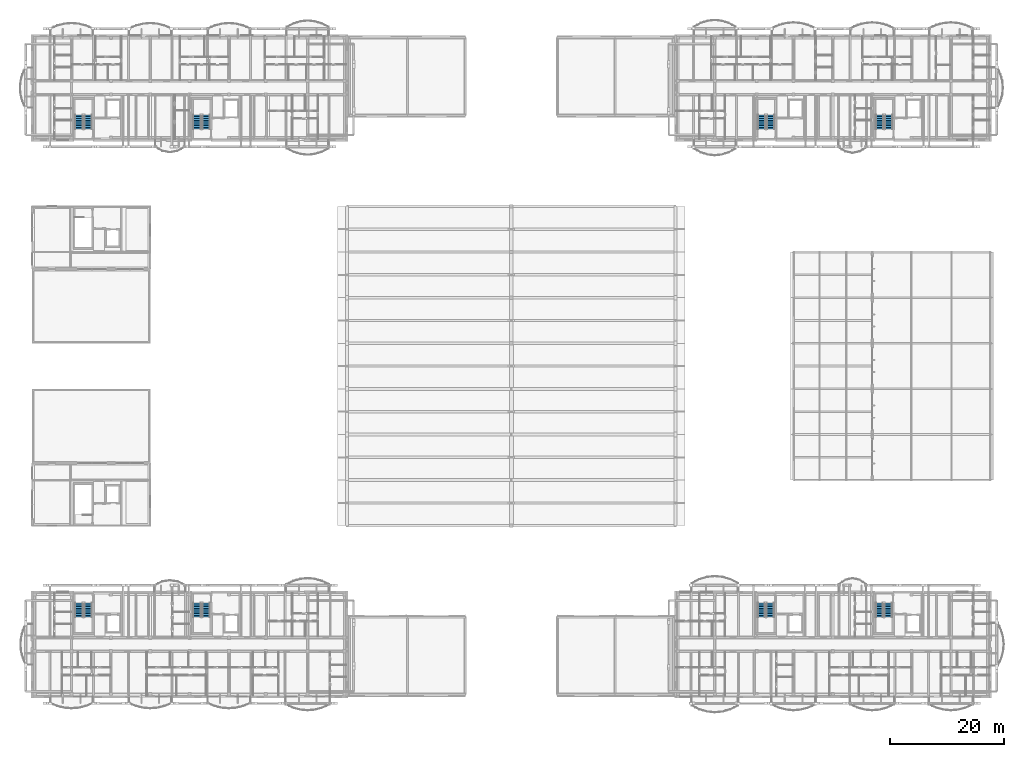
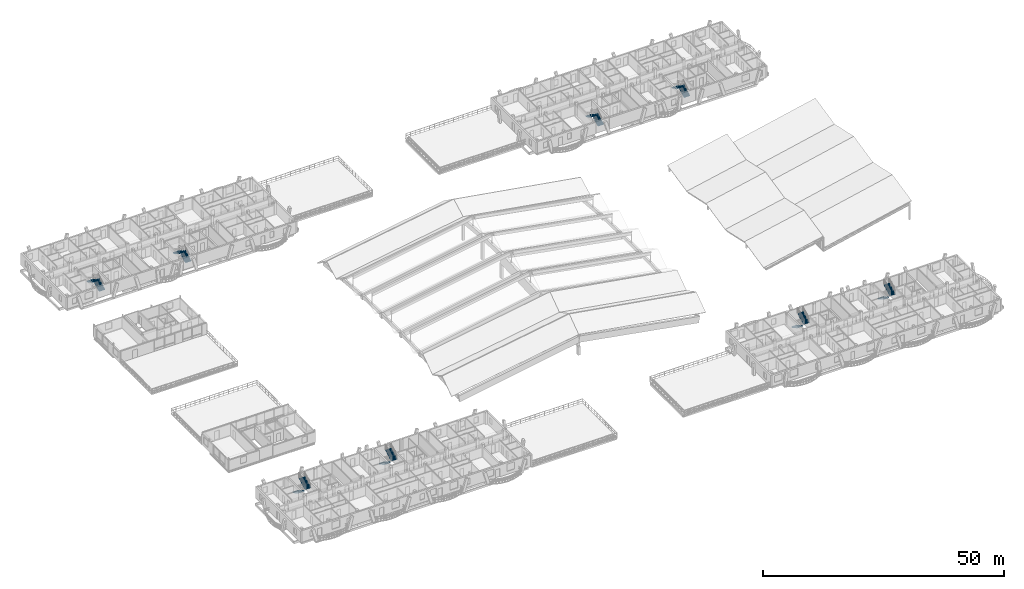
# One storey, part 86 of 109: 16 stair flights, 8 elements without a shape of their own.
"""IFC4 building model written with IfcOpenShell, lengths in metres."""

from ifc_helpers import new_model, si_unit, direction, frame, origin, place, context, subcontext, project, spatial, polyline, outline, extrude, material, type_object, element, aggregate, save


model = new_model("IFC4")

# Units and contexts
model_context = context("Model", 3, precision=1e-05, world=origin(), true_north=direction((0.0, 1.0)))
body_context = subcontext(model_context, "Body", "Model", "MODEL_VIEW")
ifc_project = project(units=[si_unit("LENGTHUNIT", "METRE"), si_unit("AREAUNIT", "SQUARE_METRE"), si_unit("VOLUMEUNIT", "CUBIC_METRE"), si_unit("PLANEANGLEUNIT", "RADIAN"), si_unit("MASSUNIT", "GRAM", prefix="KILO")], contexts=[model_context])

# Site, building, storey
site_placement = place(None, origin())
site = spatial("IfcSite", under=ifc_project, at=site_placement, CompositionType="ELEMENT")
building_placement = place(site_placement, origin())
building = spatial("IfcBuilding", under=site, at=building_placement, Name="Zavelmont Quarter", CompositionType="ELEMENT")
storey_placement = place(building_placement, frame((0.0, 0.0, 8.0)))
storey = spatial("IfcBuildingStorey", under=building, at=storey_placement, Name="L02", CompositionType="ELEMENT", Elevation=8.0)

# Stair, stair flights
ifc_material = material(Name="Concrete C35/45", Category="concrete")
stair_type_1 = type_object("IfcStairType", Name="STR-1350-1778", PredefinedType="HALF_TURN_STAIR", material=ifc_material)
stair_1_placement = place(storey_placement, origin())
stair_1 = element("IfcStair", 1, at=stair_1_placement, inside=storey, type_object=stair_type_1, Name="L02 protected stair ST07", PredefinedType="HALF_TURN_STAIR")
stair_flight_type_1 = type_object("IfcStairFlightType", Name="STF-1350-1778", PredefinedType="STRAIGHT", material=ifc_material)
stair_flight_1_placement = place(storey_placement, frame((127.875, 16.449951171875, 0.0), z_axis=(0.0, 0.0, 1.0), x_axis=(0.0, -1.0, 0.0)))
stair_flight_1 = element("IfcStairFlight", 2, at=stair_flight_1_placement, type_object=stair_flight_type_1, Name="ST07 flight 1", NumberOfRisers=9, NumberOfTreads=8, PredefinedType="STRAIGHT", RiserHeight=0.177777778, TreadLength=0.31, context=body_context, shape_type="SweptSolid", body=[
    extrude(outline(polyline([(0.0, 0.0), (0.0, 0.177734375), (0.31005859375, 0.177734375), (0.31005859375, 0.35546875), (0.6201171875, 0.35546875), (0.6201171875, 0.533447265625), (0.929931640625, 0.533447265625), (0.929931640625, 0.711181640625), (1.239990234375, 0.711181640625), (1.239990234375, 0.888916015625), (1.550048828125, 0.888916015625), (1.550048828125, 1.066650390625), (1.860107421875, 1.066650390625), (1.860107421875, 1.244384765625), (2.169921875, 1.244384765625), (2.169921875, 1.422119140625), (2.47998046875, 1.422119140625), (2.47998046875, 1.60009765625), (2.47998046875, 1.23779296875), (0.321533203125, 0.0), (0.0, 0.0)])), frame((0.0, 0.675048828125, 0.0), z_axis=(0.0, -1.0, 0.0), x_axis=(1.0, 0.0, 0.0)), (0.0, 0.0, 1.0), 1.35009765625),
])
stair_flight_2_placement = place(storey_placement, frame((129.425048828125, 13.969970703125, 1.60009765625), z_axis=(0.0, 0.0, 1.0), x_axis=(0.0, 1.0, 0.0)))
stair_flight_2 = element("IfcStairFlight", 3, at=stair_flight_2_placement, type_object=stair_flight_type_1, Name="ST07 flight 2", NumberOfRisers=9, NumberOfTreads=8, PredefinedType="STRAIGHT", RiserHeight=0.177777778, TreadLength=0.31, context=body_context, shape_type="SweptSolid", body=[
    extrude(outline(polyline([(0.0, 0.0), (0.0, 0.177734375), (0.31005859375, 0.177734375), (0.31005859375, 0.35546875), (0.6201171875, 0.35546875), (0.6201171875, 0.533447265625), (0.929931640625, 0.533447265625), (0.929931640625, 0.711181640625), (1.239990234375, 0.711181640625), (1.239990234375, 0.888916015625), (1.550048828125, 0.888916015625), (1.550048828125, 1.066650390625), (1.860107421875, 1.066650390625), (1.860107421875, 1.244384765625), (2.169921875, 1.244384765625), (2.169921875, 1.422119140625), (2.47998046875, 1.422119140625), (2.47998046875, 1.60009765625), (2.47998046875, 1.23779296875), (0.321533203125, 0.0), (0.0, 0.0)])), frame((0.0, 0.675048828125, 0.0), z_axis=(0.0, -1.0, 0.0), x_axis=(1.0, 0.0, 0.0)), (0.0, 0.0, 1.0), 1.35009765625),
])
aggregate(stair_1, [stair_flight_1, stair_flight_2])

stair_2_placement = place(storey_placement, origin())
stair_2 = element("IfcStair", 4, at=stair_2_placement, inside=storey, type_object=stair_type_1, Name="L02 protected stair ST08", PredefinedType="HALF_TURN_STAIR")
stair_flight_3_placement = place(storey_placement, frame((148.574951171875, 16.449951171875, 0.0), z_axis=(0.0, 0.0, 1.0), x_axis=(0.0, -1.0, 0.0)))
stair_flight_3 = element("IfcStairFlight", 5, at=stair_flight_3_placement, type_object=stair_flight_type_1, Name="ST08 flight 1", NumberOfRisers=9, NumberOfTreads=8, PredefinedType="STRAIGHT", RiserHeight=0.177777778, TreadLength=0.31, context=body_context, shape_type="SweptSolid", body=[
    extrude(outline(polyline([(0.0, 0.0), (0.0, 0.177734375), (0.31005859375, 0.177734375), (0.31005859375, 0.35546875), (0.6201171875, 0.35546875), (0.6201171875, 0.533447265625), (0.929931640625, 0.533447265625), (0.929931640625, 0.711181640625), (1.239990234375, 0.711181640625), (1.239990234375, 0.888916015625), (1.550048828125, 0.888916015625), (1.550048828125, 1.066650390625), (1.860107421875, 1.066650390625), (1.860107421875, 1.244384765625), (2.169921875, 1.244384765625), (2.169921875, 1.422119140625), (2.47998046875, 1.422119140625), (2.47998046875, 1.60009765625), (2.47998046875, 1.23779296875), (0.321533203125, 0.0), (0.0, 0.0)])), frame((0.0, 0.675048828125, 0.0), z_axis=(0.0, -1.0, 0.0), x_axis=(1.0, 0.0, 0.0)), (0.0, 0.0, 1.0), 1.35009765625),
])
stair_flight_4_placement = place(storey_placement, frame((150.125, 13.969970703125, 1.60009765625), z_axis=(0.0, 0.0, 1.0), x_axis=(0.0, 1.0, 0.0)))
stair_flight_4 = element("IfcStairFlight", 6, at=stair_flight_4_placement, type_object=stair_flight_type_1, Name="ST08 flight 2", NumberOfRisers=9, NumberOfTreads=8, PredefinedType="STRAIGHT", RiserHeight=0.177777778, TreadLength=0.31, context=body_context, shape_type="SweptSolid", body=[
    extrude(outline(polyline([(0.0, 0.0), (0.0, 0.177734375), (0.31005859375, 0.177734375), (0.31005859375, 0.35546875), (0.6201171875, 0.35546875), (0.6201171875, 0.533447265625), (0.929931640625, 0.533447265625), (0.929931640625, 0.711181640625), (1.239990234375, 0.711181640625), (1.239990234375, 0.888916015625), (1.550048828125, 0.888916015625), (1.550048828125, 1.066650390625), (1.860107421875, 1.066650390625), (1.860107421875, 1.244384765625), (2.169921875, 1.244384765625), (2.169921875, 1.422119140625), (2.47998046875, 1.422119140625), (2.47998046875, 1.60009765625), (2.47998046875, 1.23779296875), (0.321533203125, 0.0), (0.0, 0.0)])), frame((0.0, 0.675048828125, 0.0), z_axis=(0.0, -1.0, 0.0), x_axis=(1.0, 0.0, 0.0)), (0.0, 0.0, 1.0), 1.35009765625),
])
aggregate(stair_2, [stair_flight_3, stair_flight_4])

stair_type_2 = type_object("IfcStairType", Name="STR-1400-1778", PredefinedType="HALF_TURN_STAIR", material=ifc_material)
stair_3_placement = place(storey_placement, origin())
stair_3 = element("IfcStair", 7, at=stair_3_placement, inside=storey, type_object=stair_type_2, Name="L02 protected stair ST01", PredefinedType="HALF_TURN_STAIR")
stair_flight_type_2 = type_object("IfcStairFlightType", Name="STF-1400-1778", PredefinedType="STRAIGHT", material=ifc_material)
stair_flight_5_placement = place(storey_placement, frame((8.199951171875, 16.449951171875, 0.0), z_axis=(0.0, 0.0, 1.0), x_axis=(0.0, -1.0, 0.0)))
stair_flight_5 = element("IfcStairFlight", 8, at=stair_flight_5_placement, type_object=stair_flight_type_2, Name="ST01 flight 1", NumberOfRisers=9, NumberOfTreads=8, PredefinedType="STRAIGHT", RiserHeight=0.177777778, TreadLength=0.31, context=body_context, shape_type="SweptSolid", body=[
    extrude(outline(polyline([(0.0, 0.0), (0.0, 0.177734375), (0.31005859375, 0.177734375), (0.31005859375, 0.35546875), (0.6201171875, 0.35546875), (0.6201171875, 0.533447265625), (0.929931640625, 0.533447265625), (0.929931640625, 0.711181640625), (1.239990234375, 0.711181640625), (1.239990234375, 0.888916015625), (1.550048828125, 0.888916015625), (1.550048828125, 1.066650390625), (1.860107421875, 1.066650390625), (1.860107421875, 1.244384765625), (2.169921875, 1.244384765625), (2.169921875, 1.422119140625), (2.47998046875, 1.422119140625), (2.47998046875, 1.60009765625), (2.47998046875, 1.23779296875), (0.321533203125, 0.0), (0.0, 0.0)])), frame((0.0, 0.699951171875, 0.0), z_axis=(0.0, -1.0, 0.0), x_axis=(1.0, 0.0, 0.0)), (0.0, 0.0, 1.0), 1.39990234375),
])
stair_flight_6_placement = place(storey_placement, frame((9.800048828125, 13.969970703125, 1.60009765625), z_axis=(0.0, 0.0, 1.0), x_axis=(0.0, 1.0, 0.0)))
stair_flight_6 = element("IfcStairFlight", 9, at=stair_flight_6_placement, type_object=stair_flight_type_2, Name="ST01 flight 2", NumberOfRisers=9, NumberOfTreads=8, PredefinedType="STRAIGHT", RiserHeight=0.177777778, TreadLength=0.31, context=body_context, shape_type="SweptSolid", body=[
    extrude(outline(polyline([(0.0, 0.0), (0.0, 0.177734375), (0.31005859375, 0.177734375), (0.31005859375, 0.35546875), (0.6201171875, 0.35546875), (0.6201171875, 0.533447265625), (0.929931640625, 0.533447265625), (0.929931640625, 0.711181640625), (1.239990234375, 0.711181640625), (1.239990234375, 0.888916015625), (1.550048828125, 0.888916015625), (1.550048828125, 1.066650390625), (1.860107421875, 1.066650390625), (1.860107421875, 1.244384765625), (2.169921875, 1.244384765625), (2.169921875, 1.422119140625), (2.47998046875, 1.422119140625), (2.47998046875, 1.60009765625), (2.47998046875, 1.23779296875), (0.321533203125, 0.0), (0.0, 0.0)])), frame((0.0, 0.699951171875, 0.0), z_axis=(0.0, -1.0, 0.0), x_axis=(1.0, 0.0, 0.0)), (0.0, 0.0, 1.0), 1.39990234375),
])
aggregate(stair_3, [stair_flight_5, stair_flight_6])

stair_4_placement = place(storey_placement, origin())
stair_4 = element("IfcStair", 10, at=stair_4_placement, inside=storey, type_object=stair_type_2, Name="L02 protected stair ST02", PredefinedType="HALF_TURN_STAIR")
stair_flight_7_placement = place(storey_placement, frame((28.89990234375, 16.449951171875, 0.0), z_axis=(0.0, 0.0, 1.0), x_axis=(0.0, -1.0, 0.0)))
stair_flight_7 = element("IfcStairFlight", 11, at=stair_flight_7_placement, type_object=stair_flight_type_2, Name="ST02 flight 1", NumberOfRisers=9, NumberOfTreads=8, PredefinedType="STRAIGHT", RiserHeight=0.177777778, TreadLength=0.31, context=body_context, shape_type="SweptSolid", body=[
    extrude(outline(polyline([(0.0, 0.0), (0.0, 0.177734375), (0.31005859375, 0.177734375), (0.31005859375, 0.35546875), (0.6201171875, 0.35546875), (0.6201171875, 0.533447265625), (0.929931640625, 0.533447265625), (0.929931640625, 0.711181640625), (1.239990234375, 0.711181640625), (1.239990234375, 0.888916015625), (1.550048828125, 0.888916015625), (1.550048828125, 1.066650390625), (1.860107421875, 1.066650390625), (1.860107421875, 1.244384765625), (2.169921875, 1.244384765625), (2.169921875, 1.422119140625), (2.47998046875, 1.422119140625), (2.47998046875, 1.60009765625), (2.47998046875, 1.23779296875), (0.321533203125, 0.0), (0.0, 0.0)])), frame((0.0, 0.699951171875, 0.0), z_axis=(0.0, -1.0, 0.0), x_axis=(1.0, 0.0, 0.0)), (0.0, 0.0, 1.0), 1.39990234375),
])
stair_flight_8_placement = place(storey_placement, frame((30.5, 13.969970703125, 1.60009765625), z_axis=(0.0, 0.0, 1.0), x_axis=(0.0, 1.0, 0.0)))
stair_flight_8 = element("IfcStairFlight", 12, at=stair_flight_8_placement, type_object=stair_flight_type_2, Name="ST02 flight 2", NumberOfRisers=9, NumberOfTreads=8, PredefinedType="STRAIGHT", RiserHeight=0.177777778, TreadLength=0.31, context=body_context, shape_type="SweptSolid", body=[
    extrude(outline(polyline([(0.0, 0.0), (0.0, 0.177734375), (0.31005859375, 0.177734375), (0.31005859375, 0.35546875), (0.6201171875, 0.35546875), (0.6201171875, 0.533447265625), (0.929931640625, 0.533447265625), (0.929931640625, 0.711181640625), (1.239990234375, 0.711181640625), (1.239990234375, 0.888916015625), (1.550048828125, 0.888916015625), (1.550048828125, 1.066650390625), (1.860107421875, 1.066650390625), (1.860107421875, 1.244384765625), (2.169921875, 1.244384765625), (2.169921875, 1.422119140625), (2.47998046875, 1.422119140625), (2.47998046875, 1.60009765625), (2.47998046875, 1.23779296875), (0.321533203125, 0.0), (0.0, 0.0)])), frame((0.0, 0.699951171875, 0.0), z_axis=(0.0, -1.0, 0.0), x_axis=(1.0, 0.0, 0.0)), (0.0, 0.0, 1.0), 1.39990234375),
])
aggregate(stair_4, [stair_flight_7, stair_flight_8])

stair_5_placement = place(storey_placement, origin())
stair_5 = element("IfcStair", 13, at=stair_5_placement, inside=storey, type_object=stair_type_2, Name="L02 protected stair ST03", PredefinedType="HALF_TURN_STAIR")
stair_flight_9_placement = place(storey_placement, frame((9.800048828125, 99.550048828125, 0.0), z_axis=(0.0, 0.0, 1.0), x_axis=(0.0, 1.0, 0.0)))
stair_flight_9 = element("IfcStairFlight", 14, at=stair_flight_9_placement, type_object=stair_flight_type_2, Name="ST03 flight 1", NumberOfRisers=9, NumberOfTreads=8, PredefinedType="STRAIGHT", RiserHeight=0.177777778, TreadLength=0.31, context=body_context, shape_type="SweptSolid", body=[
    extrude(outline(polyline([(0.0, 0.0), (0.0, 0.177734375), (0.31005859375, 0.177734375), (0.31005859375, 0.35546875), (0.6201171875, 0.35546875), (0.6201171875, 0.533447265625), (0.929931640625, 0.533447265625), (0.929931640625, 0.711181640625), (1.239990234375, 0.711181640625), (1.239990234375, 0.888916015625), (1.550048828125, 0.888916015625), (1.550048828125, 1.066650390625), (1.860107421875, 1.066650390625), (1.860107421875, 1.244384765625), (2.169921875, 1.244384765625), (2.169921875, 1.422119140625), (2.47998046875, 1.422119140625), (2.47998046875, 1.60009765625), (2.47998046875, 1.23779296875), (0.321533203125, 0.0), (0.0, 0.0)])), frame((0.0, 0.699951171875, 0.0), z_axis=(0.0, -1.0, 0.0), x_axis=(1.0, 0.0, 0.0)), (0.0, 0.0, 1.0), 1.39990234375),
])
stair_flight_10_placement = place(storey_placement, frame((8.199951171875, 102.030029296875, 1.60009765625), z_axis=(0.0, 0.0, 1.0), x_axis=(0.0, -1.0, 0.0)))
stair_flight_10 = element("IfcStairFlight", 15, at=stair_flight_10_placement, type_object=stair_flight_type_2, Name="ST03 flight 2", NumberOfRisers=9, NumberOfTreads=8, PredefinedType="STRAIGHT", RiserHeight=0.177777778, TreadLength=0.31, context=body_context, shape_type="SweptSolid", body=[
    extrude(outline(polyline([(0.0, 0.0), (0.0, 0.177734375), (0.31005859375, 0.177734375), (0.31005859375, 0.35546875), (0.6201171875, 0.35546875), (0.6201171875, 0.533447265625), (0.929931640625, 0.533447265625), (0.929931640625, 0.711181640625), (1.239990234375, 0.711181640625), (1.239990234375, 0.888916015625), (1.550048828125, 0.888916015625), (1.550048828125, 1.066650390625), (1.860107421875, 1.066650390625), (1.860107421875, 1.244384765625), (2.169921875, 1.244384765625), (2.169921875, 1.422119140625), (2.47998046875, 1.422119140625), (2.47998046875, 1.60009765625), (2.47998046875, 1.23779296875), (0.321533203125, 0.0), (0.0, 0.0)])), frame((0.0, 0.699951171875, 0.0), z_axis=(0.0, -1.0, 0.0), x_axis=(1.0, 0.0, 0.0)), (0.0, 0.0, 1.0), 1.39990234375),
])
aggregate(stair_5, [stair_flight_9, stair_flight_10])

stair_6_placement = place(storey_placement, origin())
stair_6 = element("IfcStair", 16, at=stair_6_placement, inside=storey, type_object=stair_type_2, Name="L02 protected stair ST04", PredefinedType="HALF_TURN_STAIR")
stair_flight_11_placement = place(storey_placement, frame((30.5, 99.550048828125, 0.0), z_axis=(0.0, 0.0, 1.0), x_axis=(0.0, 1.0, 0.0)))
stair_flight_11 = element("IfcStairFlight", 17, at=stair_flight_11_placement, type_object=stair_flight_type_2, Name="ST04 flight 1", NumberOfRisers=9, NumberOfTreads=8, PredefinedType="STRAIGHT", RiserHeight=0.177777778, TreadLength=0.31, context=body_context, shape_type="SweptSolid", body=[
    extrude(outline(polyline([(0.0, 0.0), (0.0, 0.177734375), (0.31005859375, 0.177734375), (0.31005859375, 0.35546875), (0.6201171875, 0.35546875), (0.6201171875, 0.533447265625), (0.929931640625, 0.533447265625), (0.929931640625, 0.711181640625), (1.239990234375, 0.711181640625), (1.239990234375, 0.888916015625), (1.550048828125, 0.888916015625), (1.550048828125, 1.066650390625), (1.860107421875, 1.066650390625), (1.860107421875, 1.244384765625), (2.169921875, 1.244384765625), (2.169921875, 1.422119140625), (2.47998046875, 1.422119140625), (2.47998046875, 1.60009765625), (2.47998046875, 1.23779296875), (0.321533203125, 0.0), (0.0, 0.0)])), frame((0.0, 0.699951171875, 0.0), z_axis=(0.0, -1.0, 0.0), x_axis=(1.0, 0.0, 0.0)), (0.0, 0.0, 1.0), 1.39990234375),
])
stair_flight_12_placement = place(storey_placement, frame((28.89990234375, 102.030029296875, 1.60009765625), z_axis=(0.0, 0.0, 1.0), x_axis=(0.0, -1.0, 0.0)))
stair_flight_12 = element("IfcStairFlight", 18, at=stair_flight_12_placement, type_object=stair_flight_type_2, Name="ST04 flight 2", NumberOfRisers=9, NumberOfTreads=8, PredefinedType="STRAIGHT", RiserHeight=0.177777778, TreadLength=0.31, context=body_context, shape_type="SweptSolid", body=[
    extrude(outline(polyline([(0.0, 0.0), (0.0, 0.177734375), (0.31005859375, 0.177734375), (0.31005859375, 0.35546875), (0.6201171875, 0.35546875), (0.6201171875, 0.533447265625), (0.929931640625, 0.533447265625), (0.929931640625, 0.711181640625), (1.239990234375, 0.711181640625), (1.239990234375, 0.888916015625), (1.550048828125, 0.888916015625), (1.550048828125, 1.066650390625), (1.860107421875, 1.066650390625), (1.860107421875, 1.244384765625), (2.169921875, 1.244384765625), (2.169921875, 1.422119140625), (2.47998046875, 1.422119140625), (2.47998046875, 1.60009765625), (2.47998046875, 1.23779296875), (0.321533203125, 0.0), (0.0, 0.0)])), frame((0.0, 0.699951171875, 0.0), z_axis=(0.0, -1.0, 0.0), x_axis=(1.0, 0.0, 0.0)), (0.0, 0.0, 1.0), 1.39990234375),
])
aggregate(stair_6, [stair_flight_11, stair_flight_12])

stair_7_placement = place(storey_placement, origin())
stair_7 = element("IfcStair", 19, at=stair_7_placement, inside=storey, type_object=stair_type_2, Name="L02 protected stair ST05", PredefinedType="HALF_TURN_STAIR")
stair_flight_13_placement = place(storey_placement, frame((129.5, 99.550048828125, 0.0), z_axis=(0.0, 0.0, 1.0), x_axis=(0.0, 1.0, 0.0)))
stair_flight_13 = element("IfcStairFlight", 20, at=stair_flight_13_placement, type_object=stair_flight_type_2, Name="ST05 flight 1", NumberOfRisers=9, NumberOfTreads=8, PredefinedType="STRAIGHT", RiserHeight=0.177777778, TreadLength=0.31, context=body_context, shape_type="SweptSolid", body=[
    extrude(outline(polyline([(0.0, 0.0), (0.0, 0.177734375), (0.31005859375, 0.177734375), (0.31005859375, 0.35546875), (0.6201171875, 0.35546875), (0.6201171875, 0.533447265625), (0.929931640625, 0.533447265625), (0.929931640625, 0.711181640625), (1.239990234375, 0.711181640625), (1.239990234375, 0.888916015625), (1.550048828125, 0.888916015625), (1.550048828125, 1.066650390625), (1.860107421875, 1.066650390625), (1.860107421875, 1.244384765625), (2.169921875, 1.244384765625), (2.169921875, 1.422119140625), (2.47998046875, 1.422119140625), (2.47998046875, 1.60009765625), (2.47998046875, 1.23779296875), (0.321533203125, 0.0), (0.0, 0.0)])), frame((0.0, 0.699951171875, 0.0), z_axis=(0.0, -1.0, 0.0), x_axis=(1.0, 0.0, 0.0)), (0.0, 0.0, 1.0), 1.39990234375),
])
stair_flight_14_placement = place(storey_placement, frame((127.89990234375, 102.030029296875, 1.60009765625), z_axis=(0.0, 0.0, 1.0), x_axis=(0.0, -1.0, 0.0)))
stair_flight_14 = element("IfcStairFlight", 21, at=stair_flight_14_placement, type_object=stair_flight_type_2, Name="ST05 flight 2", NumberOfRisers=9, NumberOfTreads=8, PredefinedType="STRAIGHT", RiserHeight=0.177777778, TreadLength=0.31, context=body_context, shape_type="SweptSolid", body=[
    extrude(outline(polyline([(0.0, 0.0), (0.0, 0.177734375), (0.31005859375, 0.177734375), (0.31005859375, 0.35546875), (0.6201171875, 0.35546875), (0.6201171875, 0.533447265625), (0.929931640625, 0.533447265625), (0.929931640625, 0.711181640625), (1.239990234375, 0.711181640625), (1.239990234375, 0.888916015625), (1.550048828125, 0.888916015625), (1.550048828125, 1.066650390625), (1.860107421875, 1.066650390625), (1.860107421875, 1.244384765625), (2.169921875, 1.244384765625), (2.169921875, 1.422119140625), (2.47998046875, 1.422119140625), (2.47998046875, 1.60009765625), (2.47998046875, 1.23779296875), (0.321533203125, 0.0), (0.0, 0.0)])), frame((0.0, 0.699951171875, 0.0), z_axis=(0.0, -1.0, 0.0), x_axis=(1.0, 0.0, 0.0)), (0.0, 0.0, 1.0), 1.39990234375),
])
aggregate(stair_7, [stair_flight_13, stair_flight_14])

stair_8_placement = place(storey_placement, origin())
stair_8 = element("IfcStair", 22, at=stair_8_placement, inside=storey, type_object=stair_type_2, Name="L02 protected stair ST06", PredefinedType="HALF_TURN_STAIR")
stair_flight_15_placement = place(storey_placement, frame((150.199951171875, 99.550048828125, 0.0), z_axis=(0.0, 0.0, 1.0), x_axis=(0.0, 1.0, 0.0)))
stair_flight_15 = element("IfcStairFlight", 23, at=stair_flight_15_placement, type_object=stair_flight_type_2, Name="ST06 flight 1", NumberOfRisers=9, NumberOfTreads=8, PredefinedType="STRAIGHT", RiserHeight=0.177777778, TreadLength=0.31, context=body_context, shape_type="SweptSolid", body=[
    extrude(outline(polyline([(0.0, 0.0), (0.0, 0.177734375), (0.31005859375, 0.177734375), (0.31005859375, 0.35546875), (0.6201171875, 0.35546875), (0.6201171875, 0.533447265625), (0.929931640625, 0.533447265625), (0.929931640625, 0.711181640625), (1.239990234375, 0.711181640625), (1.239990234375, 0.888916015625), (1.550048828125, 0.888916015625), (1.550048828125, 1.066650390625), (1.860107421875, 1.066650390625), (1.860107421875, 1.244384765625), (2.169921875, 1.244384765625), (2.169921875, 1.422119140625), (2.47998046875, 1.422119140625), (2.47998046875, 1.60009765625), (2.47998046875, 1.23779296875), (0.321533203125, 0.0), (0.0, 0.0)])), frame((0.0, 0.699951171875, 0.0), z_axis=(0.0, -1.0, 0.0), x_axis=(1.0, 0.0, 0.0)), (0.0, 0.0, 1.0), 1.39990234375),
])
stair_flight_16_placement = place(storey_placement, frame((148.60009765625, 102.030029296875, 1.60009765625), z_axis=(0.0, 0.0, 1.0), x_axis=(0.0, -1.0, 0.0)))
stair_flight_16 = element("IfcStairFlight", 24, at=stair_flight_16_placement, type_object=stair_flight_type_2, Name="ST06 flight 2", NumberOfRisers=9, NumberOfTreads=8, PredefinedType="STRAIGHT", RiserHeight=0.177777778, TreadLength=0.31, context=body_context, shape_type="SweptSolid", body=[
    extrude(outline(polyline([(0.0, 0.0), (0.0, 0.177734375), (0.31005859375, 0.177734375), (0.31005859375, 0.35546875), (0.6201171875, 0.35546875), (0.6201171875, 0.533447265625), (0.929931640625, 0.533447265625), (0.929931640625, 0.711181640625), (1.239990234375, 0.711181640625), (1.239990234375, 0.888916015625), (1.550048828125, 0.888916015625), (1.550048828125, 1.066650390625), (1.860107421875, 1.066650390625), (1.860107421875, 1.244384765625), (2.169921875, 1.244384765625), (2.169921875, 1.422119140625), (2.47998046875, 1.422119140625), (2.47998046875, 1.60009765625), (2.47998046875, 1.23779296875), (0.321533203125, 0.0), (0.0, 0.0)])), frame((0.0, 0.699951171875, 0.0), z_axis=(0.0, -1.0, 0.0), x_axis=(1.0, 0.0, 0.0)), (0.0, 0.0, 1.0), 1.39990234375),
])
aggregate(stair_8, [stair_flight_15, stair_flight_16])

save(model, "model.ifc")
